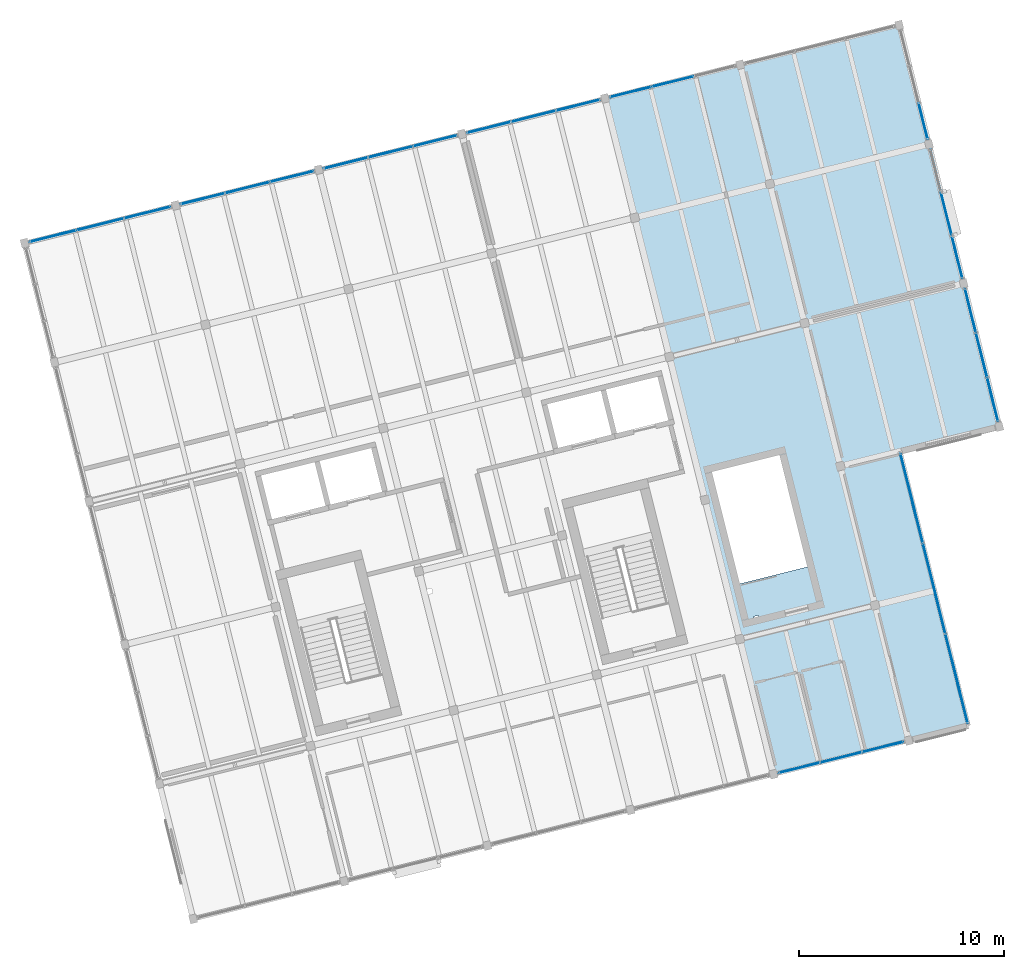
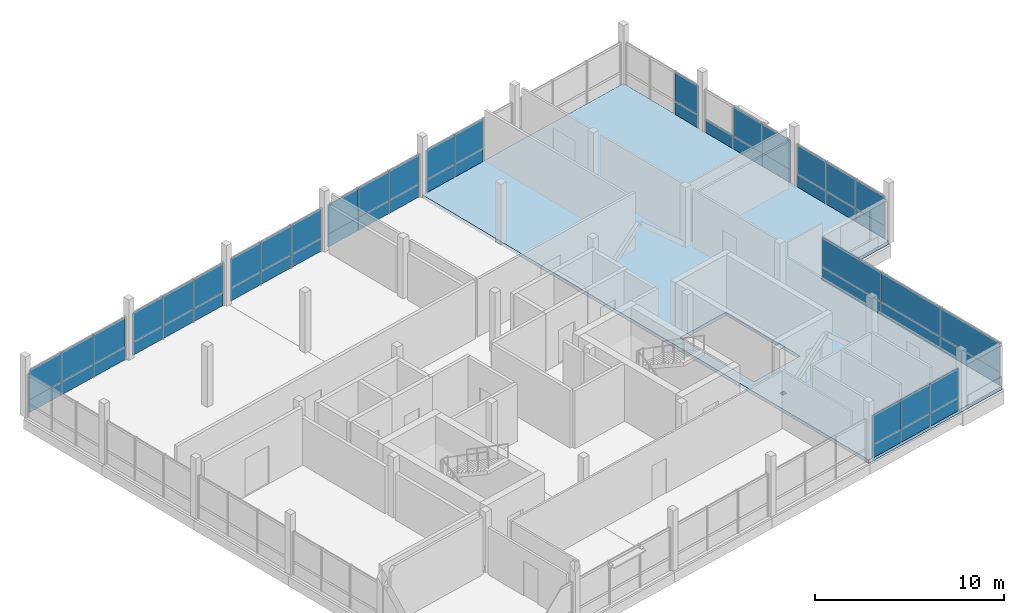
# One storey, part 24 of 28: 53 plates, 1 slab, 10 elements without a shape of their own.
"""IFC4 building model written with IfcOpenShell, lengths in metres."""

from ifc_helpers import new_model, si_unit, direction, frame, origin, origin_2d, place, context, subcontext, project, spatial, polyline, rectangle, outline, extrude, material, layer, layer_set, type_object, element, aggregate, save


model = new_model("IFC4")

# Units and contexts
model_context = context("Model", 3, precision=1e-05, world=origin(), true_north=direction((0.0, 1.0)))
body_context = subcontext(model_context, "Body", "Model", "MODEL_VIEW")
ifc_project = project(units=[si_unit("LENGTHUNIT", "METRE"), si_unit("AREAUNIT", "SQUARE_METRE"), si_unit("VOLUMEUNIT", "CUBIC_METRE"), si_unit("PLANEANGLEUNIT", "RADIAN"), si_unit("MASSUNIT", "GRAM", prefix="KILO")], contexts=[model_context])

# Site, building, storey
site_placement = place(None, origin())
site = spatial("IfcSite", under=ifc_project, at=site_placement, CompositionType="ELEMENT")
building_placement = place(site_placement, origin())
building = spatial("IfcBuilding", under=site, at=building_placement, Name="Meriwether Solvik Hall", CompositionType="ELEMENT")
storey_placement = place(building_placement, frame((0.0, 0.0, 30.0)))
storey = spatial("IfcBuildingStorey", under=building, at=storey_placement, Name="L07", CompositionType="ELEMENT", Elevation=30.0)

# Curtain wall, plates
ifc_material_1 = material(Name="Thermally Broken Anodised Aluminium 6063-T6 and Low-E Glass", Category="aluminium")
ifc_layer_1 = layer(ifc_material_1, 0.179931640625)
ifc_layer_set_1 = layer_set([ifc_layer_1], Name="Thermally Broken Anodised Aluminium 6063-T6 and Low-E Glass")
curtain_wall_type_1 = type_object("IfcCurtainWallType", Name="CW-UNIT-E", PredefinedType="USERDEFINED", material=ifc_layer_set_1)
curtain_wall_1_placement = place(storey_placement, origin())
curtain_wall_1 = element("IfcCurtainWall", 1, at=curtain_wall_1_placement, inside=storey, type_object=curtain_wall_type_1, Name="Curtain Wall E4_B3 (L07)", ObjectType="UNITISED CURTAIN WALL", PredefinedType="USERDEFINED")
ifc_material_2 = material(Name="Low-Emissivity Double-Glazed Laminated Glass", Category="glass")
ifc_layer_2 = layer(ifc_material_2, 0.031982421875)
ifc_layer_set_2 = layer_set([ifc_layer_2], Name="Low-Emissivity Double-Glazed Laminated Glass")
plate_type_1 = type_object("IfcPlateType", Name="PLT-GLZ-180X185", PredefinedType="CURTAIN_PANEL", material=ifc_layer_set_2)
plate_1_placement = place(storey_placement, frame((83.047607421875, 79.843017578125, 0.8369140625), z_axis=(0.0, 0.0, 1.0), x_axis=(0.970295738259, 0.241921847539, 0.0)))
plate_1 = element("IfcPlate", 2, at=plate_1_placement, type_object=plate_type_1, Name="Low-E Vision Glazing Panel 1", PredefinedType="CURTAIN_PANEL", context=body_context, shape_type="SweptSolid", body=[
    extrude(rectangle(XDim=2.2060546875, YDim=0.033935546875, at=origin_2d()), origin(), (0.0, 0.0, 1.0), 1.89306640625),
])
plate_2_placement = place(storey_placement, frame((85.214111328125, 80.38330078125, 0.8369140625), z_axis=(0.0, 0.0, 1.0), x_axis=(0.970295738259, 0.241921847539, 0.0)))
plate_2 = element("IfcPlate", 3, at=plate_2_placement, type_object=plate_type_1, Name="Low-E Vision Glazing Panel 2", PredefinedType="CURTAIN_PANEL", context=body_context, shape_type="SweptSolid", body=[
    extrude(rectangle(XDim=2.243896484375, YDim=0.033935546875, at=origin_2d()), origin(), (0.0, 0.0, 1.0), 1.89306640625),
])
plate_3_placement = place(storey_placement, frame((87.380859375, 80.92333984375, 0.8369140625), z_axis=(0.0, 0.0, 1.0), x_axis=(0.970295738259, 0.241921847539, 0.0)))
plate_3 = element("IfcPlate", 4, at=plate_3_placement, type_object=plate_type_1, Name="Low-E Vision Glazing Panel 3", PredefinedType="CURTAIN_PANEL", context=body_context, shape_type="SweptSolid", body=[
    extrude(rectangle(XDim=2.2060546875, YDim=0.033935546875, at=origin_2d()), origin(), (0.0, 0.0, 1.0), 1.89306640625),
])

# Curtain wall, plate
ifc_material_3 = material(Name="Thermally Broken Anodised Aluminium 6063-T6 and Low-E Glass", Category="aluminium")
ifc_layer_3 = layer(ifc_material_3, 0.179931640625)
ifc_layer_set_3 = layer_set([ifc_layer_3], Name="Thermally Broken Anodised Aluminium 6063-T6 and Low-E Glass")
curtain_wall_type_2 = type_object("IfcCurtainWallType", Name="CW-UNIT-C", PredefinedType="USERDEFINED", material=ifc_layer_set_3)
curtain_wall_2_placement = place(storey_placement, origin())
curtain_wall_2 = element("IfcCurtainWall", 5, at=curtain_wall_2_placement, inside=storey, type_object=curtain_wall_type_2, Name="Curtain Wall E3_B2 (L07)", ObjectType="UNITISED CURTAIN WALL", PredefinedType="USERDEFINED")
ifc_material_4 = material(Name="Low-Emissivity Double-Glazed Laminated Glass", Category="glass")
ifc_layer_4 = layer(ifc_material_4, 0.031982421875)
ifc_layer_set_4 = layer_set([ifc_layer_4], Name="Low-Emissivity Double-Glazed Laminated Glass")
plate_type_2 = type_object("IfcPlateType", Name="PLT-GLZ-195X185", PredefinedType="CURTAIN_PANEL", material=ifc_layer_set_4)
plate_4_placement = place(storey_placement, frame((104.23681640625, 80.145263671875, 0.8369140625), z_axis=(0.0, 0.0, 1.0), x_axis=(0.241921889131, -0.970295727889, 0.0)))
plate_4 = element("IfcPlate", 6, at=plate_4_placement, type_object=plate_type_2, Name="Low-E Vision Glazing Panel 3", PredefinedType="CURTAIN_PANEL", context=body_context, shape_type="SweptSolid", body=[
    extrude(rectangle(XDim=1.805908203125, YDim=0.033935546875, at=origin_2d()), origin(), (0.0, 0.0, 1.0), 1.89306640625),
])

# Curtain wall, plates
ifc_material_5 = material(Name="Thermally Broken Anodised Aluminium 6063-T6 and Low-E Glass", Category="aluminium")
ifc_layer_5 = layer(ifc_material_5, 0.179931640625)
ifc_layer_set_5 = layer_set([ifc_layer_5], Name="Thermally Broken Anodised Aluminium 6063-T6 and Low-E Glass")
curtain_wall_type_3 = type_object("IfcCurtainWallType", Name="CW-UNIT-D", PredefinedType="USERDEFINED", material=ifc_layer_set_5)
curtain_wall_3_placement = place(storey_placement, origin())
curtain_wall_3 = element("IfcCurtainWall", 7, at=curtain_wall_3_placement, inside=storey, type_object=curtain_wall_type_3, Name="Curtain Wall E4_B2 (L07)", ObjectType="UNITISED CURTAIN WALL", PredefinedType="USERDEFINED")
plate_5_placement = place(storey_placement, frame((76.0615234375, 78.101318359375, 0.8369140625), z_axis=(0.0, 0.0, 1.0), x_axis=(0.970295703518, 0.241921986879, 0.0)))
plate_5 = element("IfcPlate", 8, at=plate_5_placement, type_object=plate_type_2, Name="Low-E Vision Glazing Panel 1", PredefinedType="CURTAIN_PANEL", context=body_context, shape_type="SweptSolid", body=[
    extrude(rectangle(XDim=2.2060546875, YDim=0.033935546875, at=origin_2d()), origin(), (0.0, 0.0, 1.0), 1.89306640625),
])
plate_6_placement = place(storey_placement, frame((78.22802734375, 78.641357421875, 0.8369140625), z_axis=(0.0, 0.0, 1.0), x_axis=(0.970295703518, 0.241921986879, 0.0)))
plate_6 = element("IfcPlate", 9, at=plate_6_placement, type_object=plate_type_2, Name="Low-E Vision Glazing Panel 2", PredefinedType="CURTAIN_PANEL", context=body_context, shape_type="SweptSolid", body=[
    extrude(rectangle(XDim=2.243896484375, YDim=0.033935546875, at=origin_2d()), origin(), (0.0, 0.0, 1.0), 1.89306640625),
])
plate_7_placement = place(storey_placement, frame((80.394775390625, 79.181640625, 0.8369140625), z_axis=(0.0, 0.0, 1.0), x_axis=(0.970295703518, 0.241921986879, 0.0)))
plate_7 = element("IfcPlate", 10, at=plate_7_placement, type_object=plate_type_2, Name="Low-E Vision Glazing Panel 3", PredefinedType="CURTAIN_PANEL", context=body_context, shape_type="SweptSolid", body=[
    extrude(rectangle(XDim=2.2060546875, YDim=0.033935546875, at=origin_2d()), origin(), (0.0, 0.0, 1.0), 1.89306640625),
])

ifc_material_6 = material(Name="Thermally Broken Anodised Aluminium 6063-T6 and Low-E Glass", Category="aluminium")
ifc_layer_6 = layer(ifc_material_6, 0.179931640625)
ifc_layer_set_6 = layer_set([ifc_layer_6], Name="Thermally Broken Anodised Aluminium 6063-T6 and Low-E Glass")
curtain_wall_type_4 = type_object("IfcCurtainWallType", Name="CW-UNIT-B", PredefinedType="USERDEFINED", material=ifc_layer_set_6)
curtain_wall_4_placement = place(storey_placement, origin())
curtain_wall_4 = element("IfcCurtainWall", 11, at=curtain_wall_4_placement, inside=storey, type_object=curtain_wall_type_4, Name="Curtain Wall E3_B1 (L07)", ObjectType="UNITISED CURTAIN WALL", PredefinedType="USERDEFINED")
ifc_material_7 = material(Name="Low-Emissivity Double-Glazed Laminated Glass", Category="glass")
ifc_layer_7 = layer(ifc_material_7, 0.031982421875)
ifc_layer_set_7 = layer_set([ifc_layer_7], Name="Low-Emissivity Double-Glazed Laminated Glass")
plate_type_3 = type_object("IfcPlateType", Name="PLT-GLZ-210X195", PredefinedType="CURTAIN_PANEL", material=ifc_layer_set_7)
plate_8_placement = place(storey_placement, frame((105.365966796875, 75.61669921875, 0.8369140625), z_axis=(0.0, 0.0, 1.0), x_axis=(0.241921751704, -0.970295762153, 0.0)))
plate_8 = element("IfcPlate", 12, at=plate_8_placement, type_object=plate_type_3, Name="Low-E Vision Glazing Panel 2", PredefinedType="CURTAIN_PANEL", context=body_context, shape_type="SweptSolid", body=[
    extrude(rectangle(XDim=2.17724609375, YDim=0.033935546875, at=origin_2d()), origin(), (0.0, 0.0, 1.0), 1.89306640625),
])
plate_9_placement = place(storey_placement, frame((105.889892578125, 73.514892578125, 0.8369140625), z_axis=(0.0, 0.0, 1.0), x_axis=(0.241921751704, -0.970295762153, 0.0)))
plate_9 = element("IfcPlate", 13, at=plate_9_placement, type_object=plate_type_3, Name="Low-E Vision Glazing Panel 3", PredefinedType="CURTAIN_PANEL", context=body_context, shape_type="SweptSolid", body=[
    extrude(rectangle(XDim=2.139404296875, YDim=0.033935546875, at=origin_2d()), origin(), (0.0, 0.0, 1.0), 1.89306640625),
])

curtain_wall_5_placement = place(storey_placement, origin())
curtain_wall_5 = element("IfcCurtainWall", 14, at=curtain_wall_5_placement, inside=storey, type_object=curtain_wall_type_2, Name="Curtain Wall E4_B1 (L07)", ObjectType="UNITISED CURTAIN WALL", PredefinedType="USERDEFINED")
plate_10_placement = place(storey_placement, frame((69.0751953125, 76.359375, 0.8369140625), z_axis=(0.0, 0.0, 1.0), x_axis=(0.970295738259, 0.241921847539, 0.0)))
plate_10 = element("IfcPlate", 15, at=plate_10_placement, type_object=plate_type_3, Name="Low-E Vision Glazing Panel 1", PredefinedType="CURTAIN_PANEL", context=body_context, shape_type="SweptSolid", body=[
    extrude(rectangle(XDim=2.2060546875, YDim=0.033935546875, at=origin_2d()), origin(), (0.0, 0.0, 1.0), 1.89306640625),
])
plate_11_placement = place(storey_placement, frame((71.241943359375, 76.899658203125, 0.8369140625), z_axis=(0.0, 0.0, 1.0), x_axis=(0.970295738259, 0.241921847539, 0.0)))
plate_11 = element("IfcPlate", 16, at=plate_11_placement, type_object=plate_type_3, Name="Low-E Vision Glazing Panel 2", PredefinedType="CURTAIN_PANEL", context=body_context, shape_type="SweptSolid", body=[
    extrude(rectangle(XDim=2.243896484375, YDim=0.033935546875, at=origin_2d()), origin(), (0.0, 0.0, 1.0), 1.89306640625),
])
plate_12_placement = place(storey_placement, frame((73.40869140625, 77.439697265625, 0.8369140625), z_axis=(0.0, 0.0, 1.0), x_axis=(0.970295738259, 0.241921847539, 0.0)))
plate_12 = element("IfcPlate", 17, at=plate_12_placement, type_object=plate_type_3, Name="Low-E Vision Glazing Panel 3", PredefinedType="CURTAIN_PANEL", context=body_context, shape_type="SweptSolid", body=[
    extrude(rectangle(XDim=2.2060546875, YDim=0.033935546875, at=origin_2d()), origin(), (0.0, 0.0, 1.0), 1.89306640625),
])

curtain_wall_6_placement = place(storey_placement, origin())
curtain_wall_6 = element("IfcCurtainWall", 18, at=curtain_wall_6_placement, inside=storey, type_object=curtain_wall_type_4, Name="Curtain Wall E0_B4 (L07)", ObjectType="UNITISED CURTAIN WALL", PredefinedType="USERDEFINED")
ifc_material_8 = material(Name="Low-Emissivity Double-Glazed Laminated Glass", Category="glass")
ifc_layer_8 = layer(ifc_material_8, 0.031982421875)
ifc_layer_set_8 = layer_set([ifc_layer_8], Name="Low-Emissivity Double-Glazed Laminated Glass")
plate_type_4 = type_object("IfcPlateType", Name="PLT-GLZ-225X195", PredefinedType="CURTAIN_PANEL", material=ifc_layer_set_8)
plate_13_placement = place(storey_placement, frame((102.26904296875, 49.5947265625, 0.8369140625), z_axis=(0.0, 0.0, 1.0), x_axis=(-0.97029570448, -0.241921983017, 0.0)))
plate_13 = element("IfcPlate", 19, at=plate_13_placement, type_object=plate_type_4, Name="Low-E Vision Glazing Panel 1", PredefinedType="CURTAIN_PANEL", context=body_context, shape_type="SweptSolid", body=[
    extrude(rectangle(XDim=2.07275390625, YDim=0.033935546875, at=origin_2d()), origin(), (0.0, 0.0, 1.0), 1.89306640625),
])
plate_14_placement = place(storey_placement, frame((100.231689453125, 49.086669921875, 0.8369140625), z_axis=(0.0, 0.0, 1.0), x_axis=(-0.97029570448, -0.241921983017, 0.0)))
plate_14 = element("IfcPlate", 20, at=plate_14_placement, type_object=plate_type_4, Name="Low-E Vision Glazing Panel 2", PredefinedType="CURTAIN_PANEL", context=body_context, shape_type="SweptSolid", body=[
    extrude(rectangle(XDim=2.110595703125, YDim=0.033935546875, at=origin_2d()), origin(), (0.0, 0.0, 1.0), 1.89306640625),
])
plate_15_placement = place(storey_placement, frame((98.1943359375, 48.57861328125, 0.8369140625), z_axis=(0.0, 0.0, 1.0), x_axis=(-0.97029570448, -0.241921983017, 0.0)))
plate_15 = element("IfcPlate", 21, at=plate_15_placement, type_object=plate_type_4, Name="Low-E Vision Glazing Panel 3", PredefinedType="CURTAIN_PANEL", context=body_context, shape_type="SweptSolid", body=[
    extrude(rectangle(XDim=2.07275390625, YDim=0.033935546875, at=origin_2d()), origin(), (0.0, 0.0, 1.0), 1.89306640625),
])

ifc_material_9 = material(Name="Thermally Broken Anodised Aluminium 6063-T6 and Low-E Glass", Category="aluminium")
ifc_layer_9 = layer(ifc_material_9, 0.179931640625)
ifc_layer_set_9 = layer_set([ifc_layer_9], Name="Thermally Broken Anodised Aluminium 6063-T6 and Low-E Glass")
curtain_wall_type_5 = type_object("IfcCurtainWallType", Name="CW-UNIT-F", PredefinedType="USERDEFINED", material=ifc_layer_set_9)
curtain_wall_7_placement = place(storey_placement, origin())
curtain_wall_7 = element("IfcCurtainWall", 22, at=curtain_wall_7_placement, inside=storey, type_object=curtain_wall_type_5, Name="Curtain Wall E1_B0 (L07)", ObjectType="UNITISED CURTAIN WALL", PredefinedType="USERDEFINED")
plate_16_placement = place(storey_placement, frame((103.677001953125, 61.72314453125, 0.8369140625), z_axis=(0.0, 0.0, 1.0), x_axis=(0.241921931502, -0.970295717325, 0.0)))
plate_16 = element("IfcPlate", 23, at=plate_16_placement, type_object=plate_type_4, Name="Low-E Vision Glazing Panel 1", PredefinedType="CURTAIN_PANEL", context=body_context, shape_type="SweptSolid", body=[
    extrude(rectangle(XDim=4.500732421875, YDim=0.033935546875, at=origin_2d()), origin(), (0.0, 0.0, 1.0), 1.89306640625),
])
plate_17_placement = place(storey_placement, frame((104.772216796875, 57.330078125, 0.8369140625), z_axis=(0.0, 0.0, 1.0), x_axis=(0.241921931502, -0.970295717325, 0.0)))
plate_17 = element("IfcPlate", 24, at=plate_17_placement, type_object=plate_type_4, Name="Low-E Vision Glazing Panel 2", PredefinedType="CURTAIN_PANEL", context=body_context, shape_type="SweptSolid", body=[
    extrude(rectangle(XDim=4.538818359375, YDim=0.033935546875, at=origin_2d()), origin(), (0.0, 0.0, 1.0), 1.89306640625),
])
plate_18_placement = place(storey_placement, frame((105.86767578125, 52.936767578125, 0.8369140625), z_axis=(0.0, 0.0, 1.0), x_axis=(0.241921931502, -0.970295717325, 0.0)))
plate_18 = element("IfcPlate", 25, at=plate_18_placement, type_object=plate_type_4, Name="Low-E Vision Glazing Panel 3", PredefinedType="CURTAIN_PANEL", context=body_context, shape_type="SweptSolid", body=[
    extrude(rectangle(XDim=4.500732421875, YDim=0.033935546875, at=origin_2d()), origin(), (0.0, 0.0, 1.0), 1.89306640625),
])

ifc_material_10 = material(Name="Thermally Broken Anodised Aluminium 6063-T6 and Low-E Glass", Category="aluminium")
ifc_layer_10 = layer(ifc_material_10, 0.179931640625)
ifc_layer_set_10 = layer_set([ifc_layer_10], Name="Thermally Broken Anodised Aluminium 6063-T6 and Low-E Glass")
curtain_wall_type_6 = type_object("IfcCurtainWallType", Name="CW-UNIT-A", PredefinedType="USERDEFINED", material=ifc_layer_set_10)
curtain_wall_8_placement = place(storey_placement, origin())
curtain_wall_8 = element("IfcCurtainWall", 26, at=curtain_wall_8_placement, inside=storey, type_object=curtain_wall_type_6, Name="Curtain Wall E3_B0 (L07)", ObjectType="UNITISED CURTAIN WALL", PredefinedType="USERDEFINED")
plate_19_placement = place(storey_placement, frame((106.54345703125, 70.894287109375, 0.8369140625), z_axis=(0.0, 0.0, 1.0), x_axis=(0.241921847539, -0.970295738259, 0.0)))
plate_19 = element("IfcPlate", 27, at=plate_19_placement, type_object=plate_type_4, Name="Low-E Vision Glazing Panel 1", PredefinedType="CURTAIN_PANEL", context=body_context, shape_type="SweptSolid", body=[
    extrude(rectangle(XDim=2.2060546875, YDim=0.033935546875, at=origin_2d()), origin(), (0.0, 0.0, 1.0), 1.89306640625),
])
plate_20_placement = place(storey_placement, frame((107.08349609375, 68.727783203125, 0.8369140625), z_axis=(0.0, 0.0, 1.0), x_axis=(0.241921847539, -0.970295738259, 0.0)))
plate_20 = element("IfcPlate", 28, at=plate_20_placement, type_object=plate_type_4, Name="Low-E Vision Glazing Panel 2", PredefinedType="CURTAIN_PANEL", context=body_context, shape_type="SweptSolid", body=[
    extrude(rectangle(XDim=2.243896484375, YDim=0.033935546875, at=origin_2d()), origin(), (0.0, 0.0, 1.0), 1.89306640625),
])
plate_21_placement = place(storey_placement, frame((107.623779296875, 66.56103515625, 0.8369140625), z_axis=(0.0, 0.0, 1.0), x_axis=(0.241921847539, -0.970295738259, 0.0)))
plate_21 = element("IfcPlate", 29, at=plate_21_placement, type_object=plate_type_4, Name="Low-E Vision Glazing Panel 3", PredefinedType="CURTAIN_PANEL", context=body_context, shape_type="SweptSolid", body=[
    extrude(rectangle(XDim=2.2060546875, YDim=0.033935546875, at=origin_2d()), origin(), (0.0, 0.0, 1.0), 1.89306640625),
])

curtain_wall_9_placement = place(storey_placement, origin())
curtain_wall_9 = element("IfcCurtainWall", 30, at=curtain_wall_9_placement, inside=storey, type_object=curtain_wall_type_4, Name="Curtain Wall E4_B0 (L07)", ObjectType="UNITISED CURTAIN WALL", PredefinedType="USERDEFINED")
plate_22_placement = place(storey_placement, frame((61.765625, 74.536865234375, 0.8369140625), z_axis=(0.0, 0.0, 1.0), x_axis=(0.970295727285, 0.241921891552, 0.0)))
plate_22 = element("IfcPlate", 31, at=plate_22_placement, type_object=plate_type_4, Name="Low-E Vision Glazing Panel 1", PredefinedType="CURTAIN_PANEL", context=body_context, shape_type="SweptSolid", body=[
    extrude(rectangle(XDim=2.33935546875, YDim=0.033935546875, at=origin_2d()), origin(), (0.0, 0.0, 1.0), 1.89306640625),
])
plate_23_placement = place(storey_placement, frame((64.061767578125, 75.109375, 0.8369140625), z_axis=(0.0, 0.0, 1.0), x_axis=(0.970295727285, 0.241921891552, 0.0)))
plate_23 = element("IfcPlate", 32, at=plate_23_placement, type_object=plate_type_4, Name="Low-E Vision Glazing Panel 2", PredefinedType="CURTAIN_PANEL", context=body_context, shape_type="SweptSolid", body=[
    extrude(rectangle(XDim=2.377197265625, YDim=0.033935546875, at=origin_2d()), origin(), (0.0, 0.0, 1.0), 1.89306640625),
])
plate_24_placement = place(storey_placement, frame((66.35791015625, 75.681884765625, 0.8369140625), z_axis=(0.0, 0.0, 1.0), x_axis=(0.970295727285, 0.241921891552, 0.0)))
plate_24 = element("IfcPlate", 33, at=plate_24_placement, type_object=plate_type_4, Name="Low-E Vision Glazing Panel 3", PredefinedType="CURTAIN_PANEL", context=body_context, shape_type="SweptSolid", body=[
    extrude(rectangle(XDim=2.33935546875, YDim=0.033935546875, at=origin_2d()), origin(), (0.0, 0.0, 1.0), 1.89306640625),
])

curtain_wall_10_placement = place(storey_placement, origin())
curtain_wall_10 = element("IfcCurtainWall", 34, at=curtain_wall_10_placement, inside=storey, type_object=curtain_wall_type_5, Name="Curtain Wall E4_B4 (L07)", ObjectType="UNITISED CURTAIN WALL", PredefinedType="USERDEFINED")
plate_25_placement = place(storey_placement, frame((89.968994140625, 81.56884765625, 0.8369140625), z_axis=(0.0, 0.0, 1.0), x_axis=(0.970295750618, 0.24192179797, 0.0)))
plate_25 = element("IfcPlate", 35, at=plate_25_placement, type_object=plate_type_4, Name="Low-E Vision Glazing Panel 1", PredefinedType="CURTAIN_PANEL", context=body_context, shape_type="SweptSolid", body=[
    extrude(rectangle(XDim=2.07275390625, YDim=0.033935546875, at=origin_2d()), origin(), (0.0, 0.0, 1.0), 1.89306640625),
])
plate_26_placement = place(storey_placement, frame((92.00634765625, 82.07666015625, 0.8369140625), z_axis=(0.0, 0.0, 1.0), x_axis=(0.970295750618, 0.24192179797, 0.0)))
plate_26 = element("IfcPlate", 36, at=plate_26_placement, type_object=plate_type_4, Name="Low-E Vision Glazing Panel 2", PredefinedType="CURTAIN_PANEL", context=body_context, shape_type="SweptSolid", body=[
    extrude(rectangle(XDim=2.110595703125, YDim=0.033935546875, at=origin_2d()), origin(), (0.0, 0.0, 1.0), 1.89306640625),
])

# Plate
ifc_material_11 = material(Name="Mineral-Wool Insulated Anodised Aluminium 6063-T6", Category="aluminium")
ifc_layer_11 = layer(ifc_material_11, 0.044921875)
ifc_layer_set_11 = layer_set([ifc_layer_11], Name="Mineral-Wool Insulated Anodised Aluminium 6063-T6")
plate_type_5 = type_object("IfcPlateType", Name="PLT-SPN-225X085", PredefinedType="CURTAIN_PANEL", material=ifc_layer_set_11)
plate_27_placement = place(storey_placement, frame((102.26904296875, 49.5947265625, 0.0), z_axis=(0.0, 0.0, 1.0), x_axis=(-0.97029570448, -0.241921983017, 0.0)))
plate_27 = element("IfcPlate", 37, at=plate_27_placement, type_object=plate_type_5, Name="Insulated Spandrel Panel 1", PredefinedType="CURTAIN_PANEL", context=body_context, shape_type="SweptSolid", body=[
    extrude(rectangle(XDim=2.07275390625, YDim=0.044921875, at=origin_2d()), origin(), (0.0, 0.0, 1.0), 0.8369140625),
])

plate_28_placement = place(storey_placement, frame((100.231689453125, 49.086669921875, 0.0), z_axis=(0.0, 0.0, 1.0), x_axis=(-0.97029570448, -0.241921983017, 0.0)))
plate_28 = element("IfcPlate", 38, at=plate_28_placement, type_object=plate_type_5, Name="Insulated Spandrel Panel 2", PredefinedType="CURTAIN_PANEL", context=body_context, shape_type="SweptSolid", body=[
    extrude(rectangle(XDim=2.110595703125, YDim=0.044921875, at=origin_2d()), origin(), (0.0, 0.0, 1.0), 0.8369140625),
])

plate_29_placement = place(storey_placement, frame((98.1943359375, 48.57861328125, 0.0), z_axis=(0.0, 0.0, 1.0), x_axis=(-0.97029570448, -0.241921983017, 0.0)))
plate_29 = element("IfcPlate", 39, at=plate_29_placement, type_object=plate_type_5, Name="Insulated Spandrel Panel 3", PredefinedType="CURTAIN_PANEL", context=body_context, shape_type="SweptSolid", body=[
    extrude(rectangle(XDim=2.07275390625, YDim=0.044921875, at=origin_2d()), origin(), (0.0, 0.0, 1.0), 0.8369140625),
])

aggregate(curtain_wall_6, [plate_27, plate_13, plate_28, plate_14, plate_29, plate_15])

plate_30_placement = place(storey_placement, frame((103.677001953125, 61.72314453125, 0.0), z_axis=(0.0, 0.0, 1.0), x_axis=(0.241921931502, -0.970295717325, 0.0)))
plate_30 = element("IfcPlate", 40, at=plate_30_placement, type_object=plate_type_5, Name="Insulated Spandrel Panel 1", PredefinedType="CURTAIN_PANEL", context=body_context, shape_type="SweptSolid", body=[
    extrude(rectangle(XDim=4.500732421875, YDim=0.044921875, at=origin_2d()), origin(), (0.0, 0.0, 1.0), 0.8369140625),
])

plate_31_placement = place(storey_placement, frame((104.772216796875, 57.330078125, 0.0), z_axis=(0.0, 0.0, 1.0), x_axis=(0.241921931502, -0.970295717325, 0.0)))
plate_31 = element("IfcPlate", 41, at=plate_31_placement, type_object=plate_type_5, Name="Insulated Spandrel Panel 2", PredefinedType="CURTAIN_PANEL", context=body_context, shape_type="SweptSolid", body=[
    extrude(rectangle(XDim=4.538818359375, YDim=0.044921875, at=origin_2d()), origin(), (0.0, 0.0, 1.0), 0.8369140625),
])

plate_32_placement = place(storey_placement, frame((105.86767578125, 52.936767578125, 0.0), z_axis=(0.0, 0.0, 1.0), x_axis=(0.241921931502, -0.970295717325, 0.0)))
plate_32 = element("IfcPlate", 42, at=plate_32_placement, type_object=plate_type_5, Name="Insulated Spandrel Panel 3", PredefinedType="CURTAIN_PANEL", context=body_context, shape_type="SweptSolid", body=[
    extrude(rectangle(XDim=4.500732421875, YDim=0.044921875, at=origin_2d()), origin(), (0.0, 0.0, 1.0), 0.8369140625),
])

aggregate(curtain_wall_7, [plate_30, plate_16, plate_31, plate_17, plate_32, plate_18])

plate_33_placement = place(storey_placement, frame((106.54345703125, 70.894287109375, 0.0), z_axis=(0.0, 0.0, 1.0), x_axis=(0.241921847539, -0.970295738259, 0.0)))
plate_33 = element("IfcPlate", 43, at=plate_33_placement, type_object=plate_type_5, Name="Insulated Spandrel Panel 1", PredefinedType="CURTAIN_PANEL", context=body_context, shape_type="SweptSolid", body=[
    extrude(rectangle(XDim=2.2060546875, YDim=0.044921875, at=origin_2d()), origin(), (0.0, 0.0, 1.0), 0.8369140625),
])

plate_34_placement = place(storey_placement, frame((107.08349609375, 68.727783203125, 0.0), z_axis=(0.0, 0.0, 1.0), x_axis=(0.241921847539, -0.970295738259, 0.0)))
plate_34 = element("IfcPlate", 44, at=plate_34_placement, type_object=plate_type_5, Name="Insulated Spandrel Panel 2", PredefinedType="CURTAIN_PANEL", context=body_context, shape_type="SweptSolid", body=[
    extrude(rectangle(XDim=2.243896484375, YDim=0.044921875, at=origin_2d()), origin(), (0.0, 0.0, 1.0), 0.8369140625),
])

plate_35_placement = place(storey_placement, frame((107.623779296875, 66.56103515625, 0.0), z_axis=(0.0, 0.0, 1.0), x_axis=(0.241921847539, -0.970295738259, 0.0)))
plate_35 = element("IfcPlate", 45, at=plate_35_placement, type_object=plate_type_5, Name="Insulated Spandrel Panel 3", PredefinedType="CURTAIN_PANEL", context=body_context, shape_type="SweptSolid", body=[
    extrude(rectangle(XDim=2.2060546875, YDim=0.044921875, at=origin_2d()), origin(), (0.0, 0.0, 1.0), 0.8369140625),
])

aggregate(curtain_wall_8, [plate_33, plate_19, plate_34, plate_20, plate_35, plate_21])

plate_36_placement = place(storey_placement, frame((104.841796875, 77.71875, 0.0), z_axis=(0.0, 0.0, 1.0), x_axis=(0.241921751704, -0.970295762153, 0.0)))
plate_36 = element("IfcPlate", 46, at=plate_36_placement, type_object=plate_type_5, Name="Insulated Spandrel Panel 1", PredefinedType="CURTAIN_PANEL", context=body_context, shape_type="SweptSolid", body=[
    extrude(rectangle(XDim=2.139404296875, YDim=0.044921875, at=origin_2d()), origin(), (0.0, 0.0, 1.0), 0.8369140625),
])

plate_37_placement = place(storey_placement, frame((105.365966796875, 75.61669921875, 0.0), z_axis=(0.0, 0.0, 1.0), x_axis=(0.241921751704, -0.970295762153, 0.0)))
plate_37 = element("IfcPlate", 47, at=plate_37_placement, type_object=plate_type_5, Name="Insulated Spandrel Panel 2", PredefinedType="CURTAIN_PANEL", context=body_context, shape_type="SweptSolid", body=[
    extrude(rectangle(XDim=2.17724609375, YDim=0.044921875, at=origin_2d()), origin(), (0.0, 0.0, 1.0), 0.8369140625),
])

plate_38_placement = place(storey_placement, frame((105.889892578125, 73.514892578125, 0.0), z_axis=(0.0, 0.0, 1.0), x_axis=(0.241921751704, -0.970295762153, 0.0)))
plate_38 = element("IfcPlate", 48, at=plate_38_placement, type_object=plate_type_5, Name="Insulated Spandrel Panel 3", PredefinedType="CURTAIN_PANEL", context=body_context, shape_type="SweptSolid", body=[
    extrude(rectangle(XDim=2.139404296875, YDim=0.044921875, at=origin_2d()), origin(), (0.0, 0.0, 1.0), 0.8369140625),
])

aggregate(curtain_wall_4, [plate_36, plate_37, plate_8, plate_38, plate_9])

plate_39_placement = place(storey_placement, frame((104.23681640625, 80.145263671875, 0.0), z_axis=(0.0, 0.0, 1.0), x_axis=(0.241921889131, -0.970295727889, 0.0)))
plate_39 = element("IfcPlate", 49, at=plate_39_placement, type_object=plate_type_5, Name="Insulated Spandrel Panel 3", PredefinedType="CURTAIN_PANEL", context=body_context, shape_type="SweptSolid", body=[
    extrude(rectangle(XDim=1.805908203125, YDim=0.044921875, at=origin_2d()), origin(), (0.0, 0.0, 1.0), 0.8369140625),
])

aggregate(curtain_wall_2, [plate_39, plate_4])

plate_40_placement = place(storey_placement, frame((61.765625, 74.536865234375, 0.0), z_axis=(0.0, 0.0, 1.0), x_axis=(0.970295727285, 0.241921891552, 0.0)))
plate_40 = element("IfcPlate", 50, at=plate_40_placement, type_object=plate_type_5, Name="Insulated Spandrel Panel 1", PredefinedType="CURTAIN_PANEL", context=body_context, shape_type="SweptSolid", body=[
    extrude(rectangle(XDim=2.33935546875, YDim=0.044921875, at=origin_2d()), origin(), (0.0, 0.0, 1.0), 0.8369140625),
])

plate_41_placement = place(storey_placement, frame((64.061767578125, 75.109375, 0.0), z_axis=(0.0, 0.0, 1.0), x_axis=(0.970295727285, 0.241921891552, 0.0)))
plate_41 = element("IfcPlate", 51, at=plate_41_placement, type_object=plate_type_5, Name="Insulated Spandrel Panel 2", PredefinedType="CURTAIN_PANEL", context=body_context, shape_type="SweptSolid", body=[
    extrude(rectangle(XDim=2.377197265625, YDim=0.044921875, at=origin_2d()), origin(), (0.0, 0.0, 1.0), 0.8369140625),
])

plate_42_placement = place(storey_placement, frame((66.35791015625, 75.681884765625, 0.0), z_axis=(0.0, 0.0, 1.0), x_axis=(0.970295727285, 0.241921891552, 0.0)))
plate_42 = element("IfcPlate", 52, at=plate_42_placement, type_object=plate_type_5, Name="Insulated Spandrel Panel 3", PredefinedType="CURTAIN_PANEL", context=body_context, shape_type="SweptSolid", body=[
    extrude(rectangle(XDim=2.33935546875, YDim=0.044921875, at=origin_2d()), origin(), (0.0, 0.0, 1.0), 0.8369140625),
])

aggregate(curtain_wall_9, [plate_40, plate_22, plate_41, plate_23, plate_42, plate_24])

plate_43_placement = place(storey_placement, frame((69.0751953125, 76.359375, 0.0), z_axis=(0.0, 0.0, 1.0), x_axis=(0.970295738259, 0.241921847539, 0.0)))
plate_43 = element("IfcPlate", 53, at=plate_43_placement, type_object=plate_type_5, Name="Insulated Spandrel Panel 1", PredefinedType="CURTAIN_PANEL", context=body_context, shape_type="SweptSolid", body=[
    extrude(rectangle(XDim=2.2060546875, YDim=0.044921875, at=origin_2d()), origin(), (0.0, 0.0, 1.0), 0.8369140625),
])

plate_44_placement = place(storey_placement, frame((71.241943359375, 76.899658203125, 0.0), z_axis=(0.0, 0.0, 1.0), x_axis=(0.970295738259, 0.241921847539, 0.0)))
plate_44 = element("IfcPlate", 54, at=plate_44_placement, type_object=plate_type_5, Name="Insulated Spandrel Panel 2", PredefinedType="CURTAIN_PANEL", context=body_context, shape_type="SweptSolid", body=[
    extrude(rectangle(XDim=2.243896484375, YDim=0.044921875, at=origin_2d()), origin(), (0.0, 0.0, 1.0), 0.8369140625),
])

plate_45_placement = place(storey_placement, frame((73.40869140625, 77.439697265625, 0.0), z_axis=(0.0, 0.0, 1.0), x_axis=(0.970295738259, 0.241921847539, 0.0)))
plate_45 = element("IfcPlate", 55, at=plate_45_placement, type_object=plate_type_5, Name="Insulated Spandrel Panel 3", PredefinedType="CURTAIN_PANEL", context=body_context, shape_type="SweptSolid", body=[
    extrude(rectangle(XDim=2.2060546875, YDim=0.044921875, at=origin_2d()), origin(), (0.0, 0.0, 1.0), 0.8369140625),
])

aggregate(curtain_wall_5, [plate_43, plate_10, plate_44, plate_11, plate_45, plate_12])

plate_46_placement = place(storey_placement, frame((76.0615234375, 78.101318359375, 0.0), z_axis=(0.0, 0.0, 1.0), x_axis=(0.970295703518, 0.241921986879, 0.0)))
plate_46 = element("IfcPlate", 56, at=plate_46_placement, type_object=plate_type_5, Name="Insulated Spandrel Panel 1", PredefinedType="CURTAIN_PANEL", context=body_context, shape_type="SweptSolid", body=[
    extrude(rectangle(XDim=2.2060546875, YDim=0.044921875, at=origin_2d()), origin(), (0.0, 0.0, 1.0), 0.8369140625),
])

plate_47_placement = place(storey_placement, frame((78.22802734375, 78.641357421875, 0.0), z_axis=(0.0, 0.0, 1.0), x_axis=(0.970295703518, 0.241921986879, 0.0)))
plate_47 = element("IfcPlate", 57, at=plate_47_placement, type_object=plate_type_5, Name="Insulated Spandrel Panel 2", PredefinedType="CURTAIN_PANEL", context=body_context, shape_type="SweptSolid", body=[
    extrude(rectangle(XDim=2.243896484375, YDim=0.044921875, at=origin_2d()), origin(), (0.0, 0.0, 1.0), 0.8369140625),
])

plate_48_placement = place(storey_placement, frame((80.394775390625, 79.181640625, 0.0), z_axis=(0.0, 0.0, 1.0), x_axis=(0.970295703518, 0.241921986879, 0.0)))
plate_48 = element("IfcPlate", 58, at=plate_48_placement, type_object=plate_type_5, Name="Insulated Spandrel Panel 3", PredefinedType="CURTAIN_PANEL", context=body_context, shape_type="SweptSolid", body=[
    extrude(rectangle(XDim=2.2060546875, YDim=0.044921875, at=origin_2d()), origin(), (0.0, 0.0, 1.0), 0.8369140625),
])

aggregate(curtain_wall_3, [plate_46, plate_5, plate_47, plate_6, plate_48, plate_7])

plate_49_placement = place(storey_placement, frame((83.047607421875, 79.843017578125, 0.0), z_axis=(0.0, 0.0, 1.0), x_axis=(0.970295738259, 0.241921847539, 0.0)))
plate_49 = element("IfcPlate", 59, at=plate_49_placement, type_object=plate_type_5, Name="Insulated Spandrel Panel 1", PredefinedType="CURTAIN_PANEL", context=body_context, shape_type="SweptSolid", body=[
    extrude(rectangle(XDim=2.2060546875, YDim=0.044921875, at=origin_2d()), origin(), (0.0, 0.0, 1.0), 0.8369140625),
])

plate_50_placement = place(storey_placement, frame((85.214111328125, 80.38330078125, 0.0), z_axis=(0.0, 0.0, 1.0), x_axis=(0.970295738259, 0.241921847539, 0.0)))
plate_50 = element("IfcPlate", 60, at=plate_50_placement, type_object=plate_type_5, Name="Insulated Spandrel Panel 2", PredefinedType="CURTAIN_PANEL", context=body_context, shape_type="SweptSolid", body=[
    extrude(rectangle(XDim=2.243896484375, YDim=0.044921875, at=origin_2d()), origin(), (0.0, 0.0, 1.0), 0.8369140625),
])

plate_51_placement = place(storey_placement, frame((87.380859375, 80.92333984375, 0.0), z_axis=(0.0, 0.0, 1.0), x_axis=(0.970295738259, 0.241921847539, 0.0)))
plate_51 = element("IfcPlate", 61, at=plate_51_placement, type_object=plate_type_5, Name="Insulated Spandrel Panel 3", PredefinedType="CURTAIN_PANEL", context=body_context, shape_type="SweptSolid", body=[
    extrude(rectangle(XDim=2.2060546875, YDim=0.044921875, at=origin_2d()), origin(), (0.0, 0.0, 1.0), 0.8369140625),
])

aggregate(curtain_wall_1, [plate_49, plate_1, plate_50, plate_2, plate_51, plate_3])

plate_52_placement = place(storey_placement, frame((89.968994140625, 81.56884765625, 0.0), z_axis=(0.0, 0.0, 1.0), x_axis=(0.970295750618, 0.24192179797, 0.0)))
plate_52 = element("IfcPlate", 62, at=plate_52_placement, type_object=plate_type_5, Name="Insulated Spandrel Panel 1", PredefinedType="CURTAIN_PANEL", context=body_context, shape_type="SweptSolid", body=[
    extrude(rectangle(XDim=2.07275390625, YDim=0.044921875, at=origin_2d()), origin(), (0.0, 0.0, 1.0), 0.8369140625),
])

plate_53_placement = place(storey_placement, frame((92.00634765625, 82.07666015625, 0.0), z_axis=(0.0, 0.0, 1.0), x_axis=(0.970295750618, 0.24192179797, 0.0)))
plate_53 = element("IfcPlate", 63, at=plate_53_placement, type_object=plate_type_5, Name="Insulated Spandrel Panel 2", PredefinedType="CURTAIN_PANEL", context=body_context, shape_type="SweptSolid", body=[
    extrude(rectangle(XDim=2.110595703125, YDim=0.044921875, at=origin_2d()), origin(), (0.0, 0.0, 1.0), 0.8369140625),
])

aggregate(curtain_wall_10, [plate_52, plate_25, plate_53, plate_26])

# Slab
ifc_material_12 = material(Name="Cross-Laminated Timber PRG 320 E1", Category="wood")
ifc_layer_12 = layer(ifc_material_12, 0.219970703125)
ifc_layer_set_12 = layer_set([ifc_layer_12], Name="Cross-Laminated Timber PRG 320 E1")
slab_type = type_object("IfcSlabType", Name="SLB-CLT-220", PredefinedType="FLOOR", material=ifc_layer_set_12)
slab_placement = place(storey_placement, frame((0.0, 0.0, -0.219970703125)))
element("IfcSlab", 64, at=slab_placement, inside=storey, type_object=slab_type, Name="L07 Mass-Timber CLT Floor E", PredefinedType="FLOOR", context=body_context, shape_type="SweptSolid", body=[
    extrude(outline(polyline([(103.067626953125, 84.834716796875), (107.95458984375, 65.234619140625), (103.10302734375, 64.025146484375), (106.441650390625, 50.635009765625), (96.935546875, 48.264892578125), (88.710205078125, 81.2548828125), (103.067626953125, 84.834716796875)]), holes=[polyline([(95.943115234375, 55.953125), (96.003662109375, 55.71044921875), (96.24609375, 55.77099609375), (96.185791015625, 56.013671875), (95.943115234375, 55.953125)]), polyline([(93.92236328125, 63.0244140625), (95.284912109375, 57.5595703125), (98.583984375, 58.382080078125), (97.221435546875, 63.846923828125), (93.92236328125, 63.0244140625)])]), origin(), (0.0, 0.0, 1.0), 0.219970703125),
])

save(model, "model.ifc")
